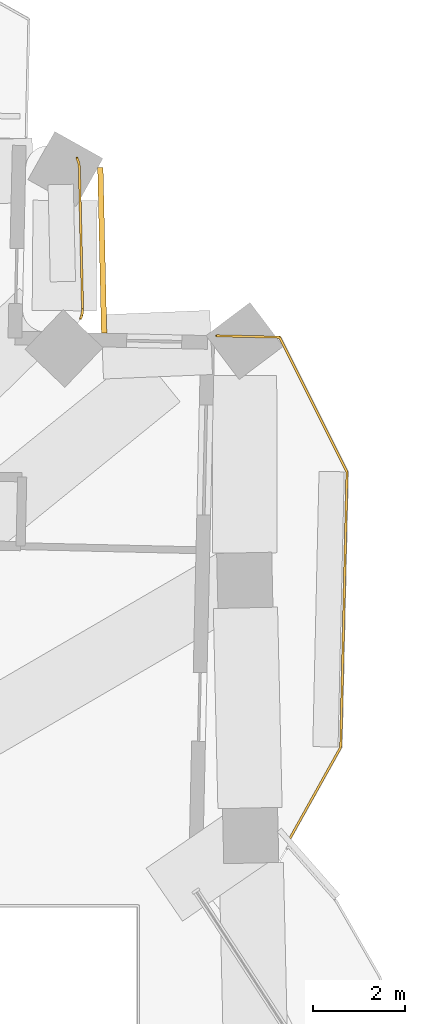
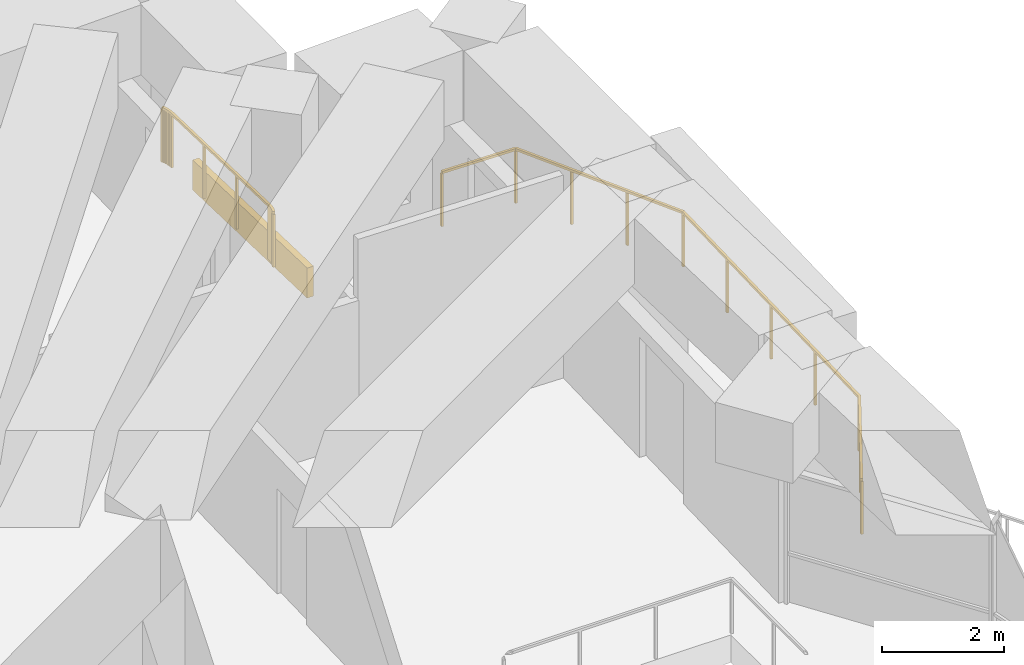
# One storey, part 19 of 19: 2 railings, 1 covering.
"""IFC4 building model written with IfcOpenShell, lengths in metres."""

from ifc_helpers import new_model, si_unit, direction, frame, frame_2d, origin, origin_2d, place, context, subcontext, project, spatial, rectangle, extrude, material, layer, layer_set, type_object, element, save


model = new_model("IFC4")

# Units and contexts
model_context = context("Model", 3, precision=1e-05, world=origin(), true_north=direction((0.0, 1.0)))
body_context = subcontext(model_context, "Body", "Model", "MODEL_VIEW")
ifc_project = project(units=[si_unit("LENGTHUNIT", "METRE"), si_unit("AREAUNIT", "SQUARE_METRE"), si_unit("VOLUMEUNIT", "CUBIC_METRE"), si_unit("PLANEANGLEUNIT", "RADIAN"), si_unit("MASSUNIT", "GRAM", prefix="KILO")], contexts=[model_context])

# Site, building, storey
site_placement = place(None, origin())
site = spatial("IfcSite", under=ifc_project, at=site_placement, CompositionType="ELEMENT")
building_placement = place(site_placement, origin())
building = spatial("IfcBuilding", under=site, at=building_placement, Name="Mangrove Gate Tower", CompositionType="ELEMENT")
storey_placement = place(building_placement, frame((0.0, 0.0, 193.300048828125)))
storey = spatial("IfcBuildingStorey", under=building, at=storey_placement, Name="L49", CompositionType="ELEMENT", Elevation=193.300048828125)

# Railings
ifc_material_1 = material(Name="Stainless steel grade 316 with laminated glass infill", Category="steel")
railing_type = type_object("IfcRailingType", Name="Balcony guard 1100", PredefinedType="GUARDRAIL", material=ifc_material_1)
railing_1_placement = place(storey_placement, frame((26.291015625, 8.930908203125, 0.0)))
element("IfcRailing", 1, at=railing_1_placement, inside=storey, type_object=railing_type, Name="GUARD L49 E3", PredefinedType="GUARDRAIL", context=body_context, shape_type="SweptSolid", body=[
    extrude(rectangle(XDim=0.048095703125, YDim=0.048095703125, at=origin_2d()), frame((0.0, 0.0, 1.076171875), z_axis=(0.486871185332, 0.873473782602, 0.0), x_axis=(-0.873473782602, 0.486871185332, 0.0)), (0.0, 0.0, 1.0), 2.36181640625),
    extrude(rectangle(XDim=0.048095703125, YDim=0.048095703125, at=origin_2d()), frame((1.14990234375, 2.06298828125, 1.076171875), z_axis=(0.022828630714, 0.999739392852, 0.0), x_axis=(-0.999739392852, 0.022828630714, 0.0)), (0.0, 0.0, 1.0), 5.99951171875),
    extrude(rectangle(XDim=0.048095703125, YDim=0.048095703125, at=origin_2d()), frame((1.286865234375, 8.06103515625, 1.076171875), z_axis=(-0.447154053357, 0.894456959594, 0.0), x_axis=(-0.894456959594, -0.447154053357, 0.0)), (0.0, 0.0, 1.0), 3.2802734375),
    extrude(rectangle(XDim=0.048095703125, YDim=0.048095703125, at=origin_2d()), frame((-0.179931640625, 10.9951171875, 1.076171875), z_axis=(-0.999746662088, 0.022508035115, 0.0), x_axis=(-0.022508035115, -0.999746662088, 0.0)), (0.0, 0.0, 1.0), 1.37744140625),
    extrude(rectangle(XDim=0.0419921875, YDim=0.0419921875, at=origin_2d()), origin(), (0.0, 0.0, 1.0), 1.052001953125),
    extrude(rectangle(XDim=0.0419921875, YDim=0.0419921875, at=origin_2d()), frame((0.574951171875, 1.031494140625, 0.0)), (0.0, 0.0, 1.0), 1.052001953125),
    extrude(rectangle(XDim=0.0419921875, YDim=0.0419921875, at=origin_2d()), frame((1.14990234375, 2.06298828125, 0.0)), (0.0, 0.0, 1.0), 1.052001953125),
    extrude(rectangle(XDim=0.0419921875, YDim=0.0419921875, at=origin_2d()), frame((1.18408203125, 3.5625, 0.0)), (0.0, 0.0, 1.0), 1.052001953125),
    extrude(rectangle(XDim=0.0419921875, YDim=0.0419921875, at=origin_2d()), frame((1.21826171875, 5.06201171875, 0.0)), (0.0, 0.0, 1.0), 1.052001953125),
    extrude(rectangle(XDim=0.0419921875, YDim=0.0419921875, at=origin_2d()), frame((1.252685546875, 6.5615234375, 0.0)), (0.0, 0.0, 1.0), 1.052001953125),
    extrude(rectangle(XDim=0.0419921875, YDim=0.0419921875, at=origin_2d()), frame((1.286865234375, 8.06103515625, 0.0)), (0.0, 0.0, 1.0), 1.052001953125),
    extrude(rectangle(XDim=0.0419921875, YDim=0.0419921875, at=origin_2d()), frame((0.7978515625, 9.0390625, 0.0)), (0.0, 0.0, 1.0), 1.052001953125),
    extrude(rectangle(XDim=0.0419921875, YDim=0.0419921875, at=origin_2d()), frame((0.30908203125, 10.01708984375, 0.0)), (0.0, 0.0, 1.0), 1.052001953125),
    extrude(rectangle(XDim=0.0419921875, YDim=0.0419921875, at=origin_2d()), frame((-0.179931640625, 10.9951171875, 0.0)), (0.0, 0.0, 1.0), 1.052001953125),
    extrude(rectangle(XDim=0.0419921875, YDim=0.0419921875, at=origin_2d()), frame((-1.55712890625, 11.026123046875, 0.0)), (0.0, 0.0, 1.0), 1.052001953125),
])
railing_2_placement = place(storey_placement, frame((21.69189453125, 23.827880859375, 0.0)))
element("IfcRailing", 2, at=railing_2_placement, inside=storey, type_object=railing_type, Name="GUARD L49 T3.1", PredefinedType="GUARDRAIL", context=body_context, shape_type="SweptSolid", body=[
    extrude(rectangle(XDim=0.048095703125, YDim=0.048095703125, at=origin_2d()), frame((0.0, 0.0, 1.076171875), z_axis=(0.467887720419, -0.883787916347, 0.0), x_axis=(0.883787916347, 0.467887720419, 0.0)), (0.0, 0.0, 1.0), 0.028076171875),
    extrude(rectangle(XDim=0.048095703125, YDim=0.048095703125, at=origin_2d()), frame((0.01318359375, -0.02490234375, 1.076171875), z_axis=(0.344548077029, -0.938768673644, 0.0), x_axis=(0.938768673644, 0.344548077029, 0.0)), (0.0, 0.0, 1.0), 0.048828125),
    extrude(rectangle(XDim=0.048095703125, YDim=0.048095703125, at=origin_2d()), frame((0.030029296875, -0.07080078125, 1.076171875), z_axis=(0.269444841931, -0.963015823939, 0.0), x_axis=(0.963015823939, 0.269444841931, 0.0)), (0.0, 0.0, 1.0), 0.048828125),
    extrude(rectangle(XDim=0.048095703125, YDim=0.048095703125, at=origin_2d()), frame((0.043212890625, -0.117919921875, 1.076171875), z_axis=(0.161131898902, -0.986932880776, 0.0), x_axis=(0.986932880776, 0.161131898902, 0.0)), (0.0, 0.0, 1.0), 0.048583984375),
    extrude(rectangle(XDim=0.048095703125, YDim=0.048095703125, at=origin_2d()), frame((0.051025390625, -0.165771484375, 1.076171875), z_axis=(0.084276225487, -0.996442430759, 0.0), x_axis=(0.996442430759, 0.084276225487, 0.0)), (0.0, 0.0, 1.0), 0.04931640625),
    extrude(rectangle(XDim=0.048095703125, YDim=0.048095703125, at=origin_2d()), frame((0.05517578125, -0.21484375, 1.076171875), z_axis=(0.022441214862, -0.999748164227, 0.0), x_axis=(0.999748164227, 0.022441214862, 0.0)), (0.0, 0.0, 1.0), 3.06787109375),
    extrude(rectangle(XDim=0.048095703125, YDim=0.048095703125, at=origin_2d()), frame((0.1240234375, -3.281982421875, 1.076171875), z_axis=(-0.019604074934, -0.999807821657, 0.0), x_axis=(0.999807821657, -0.019604074934, 0.0)), (0.0, 0.0, 1.0), 0.0498046875),
    extrude(rectangle(XDim=0.048095703125, YDim=0.048095703125, at=origin_2d()), frame((0.123046875, -3.331787109375, 1.076171875), z_axis=(-0.116279015178, -0.993216587975, 0.0), x_axis=(0.993216587975, -0.116279015178, 0.0)), (0.0, 0.0, 1.0), 0.05029296875),
    extrude(rectangle(XDim=0.048095703125, YDim=0.048095703125, at=origin_2d()), frame((0.1171875, -3.3818359375, 1.076171875), z_axis=(-0.236844906121, -0.971547472049, 0.0), x_axis=(0.971547472049, -0.236844906121, 0.0)), (0.0, 0.0, 1.0), 0.050537109375),
    extrude(rectangle(XDim=0.048095703125, YDim=0.048095703125, at=origin_2d()), frame((0.105224609375, -3.430908203125, 1.076171875), z_axis=(-0.319127445946, -0.947711809172, 0.0), x_axis=(0.947711809172, -0.319127445946, 0.0)), (0.0, 0.0, 1.0), 0.050537109375),
    extrude(rectangle(XDim=0.048095703125, YDim=0.048095703125, at=origin_2d()), frame((0.089111328125, -3.478759765625, 1.076171875), z_axis=(-0.4472135955, -0.894427191, 0.0), x_axis=(0.894427191, -0.4472135955, 0.0)), (0.0, 0.0, 1.0), 0.0224609375),
    extrude(rectangle(XDim=0.0419921875, YDim=0.0419921875, at=origin_2d()), origin(), (0.0, 0.0, 1.0), 1.052001953125),
    extrude(rectangle(XDim=0.0419921875, YDim=0.0419921875, at=origin_2d()), frame((0.01318359375, -0.02490234375, 0.0)), (0.0, 0.0, 1.0), 1.052001953125),
    extrude(rectangle(XDim=0.0419921875, YDim=0.0419921875, at=origin_2d()), frame((0.030029296875, -0.07080078125, 0.0)), (0.0, 0.0, 1.0), 1.052001953125),
    extrude(rectangle(XDim=0.0419921875, YDim=0.0419921875, at=origin_2d()), frame((0.043212890625, -0.117919921875, 0.0)), (0.0, 0.0, 1.0), 1.052001953125),
    extrude(rectangle(XDim=0.0419921875, YDim=0.0419921875, at=origin_2d()), frame((0.051025390625, -0.165771484375, 0.0)), (0.0, 0.0, 1.0), 1.052001953125),
    extrude(rectangle(XDim=0.0419921875, YDim=0.0419921875, at=origin_2d()), frame((0.05517578125, -0.21484375, 0.0)), (0.0, 0.0, 1.0), 1.052001953125),
    extrude(rectangle(XDim=0.0419921875, YDim=0.0419921875, at=origin_2d()), frame((0.078125, -1.2373046875, 0.0)), (0.0, 0.0, 1.0), 1.052001953125),
    extrude(rectangle(XDim=0.0419921875, YDim=0.0419921875, at=origin_2d()), frame((0.10107421875, -2.259521484375, 0.0)), (0.0, 0.0, 1.0), 1.052001953125),
    extrude(rectangle(XDim=0.0419921875, YDim=0.0419921875, at=origin_2d()), frame((0.1240234375, -3.281982421875, 0.0)), (0.0, 0.0, 1.0), 1.052001953125),
    extrude(rectangle(XDim=0.0419921875, YDim=0.0419921875, at=origin_2d()), frame((0.123046875, -3.331787109375, 0.0)), (0.0, 0.0, 1.0), 1.052001953125),
    extrude(rectangle(XDim=0.0419921875, YDim=0.0419921875, at=origin_2d()), frame((0.1171875, -3.3818359375, 0.0)), (0.0, 0.0, 1.0), 1.052001953125),
    extrude(rectangle(XDim=0.0419921875, YDim=0.0419921875, at=origin_2d()), frame((0.105224609375, -3.430908203125, 0.0)), (0.0, 0.0, 1.0), 1.052001953125),
    extrude(rectangle(XDim=0.0419921875, YDim=0.0419921875, at=origin_2d()), frame((0.089111328125, -3.478759765625, 0.0)), (0.0, 0.0, 1.0), 1.052001953125),
    extrude(rectangle(XDim=0.0419921875, YDim=0.0419921875, at=origin_2d()), frame((0.0791015625, -3.498779296875, 0.0)), (0.0, 0.0, 1.0), 1.052001953125),
])

# Covering
ifc_material_2 = material(Name="Limestone", Category="masonry")
ifc_layer_1 = layer(ifc_material_2, 0.0400390625, Name="Limestone cladding")
ifc_material_3 = material(Name="Stainless steel anchors and cavity", Category="steel")
ifc_layer_2 = layer(ifc_material_3, 0.080078125, Name="Fixing cavity")
ifc_layer_set = layer_set([ifc_layer_1, ifc_layer_2], Name="Joint fascia cladding 120")
covering_type = type_object("IfcCoveringType", Name="Joint fascia cladding 120", PredefinedType="CLADDING", material=ifc_layer_set)
covering_placement = place(storey_placement, frame((22.2041015625, 23.623046875, -0.60009765625), z_axis=(0.0, 0.0, 1.0), x_axis=(0.022461679498, -0.999747704651, 0.0)))
element("IfcCovering", 3, at=covering_placement, inside=storey, type_object=covering_type, Name="STONE FASCIA L49 TB63-1.1", PredefinedType="CLADDING", context=body_context, shape_type="SweptSolid", body=[
    extrude(rectangle(XDim=3.608642578125, YDim=0.1201171875, at=frame_2d((1.80419921875, 0.0))), origin(), (0.0, 0.0, 1.0), 0.60009765625),
])

save(model, "model.ifc")
